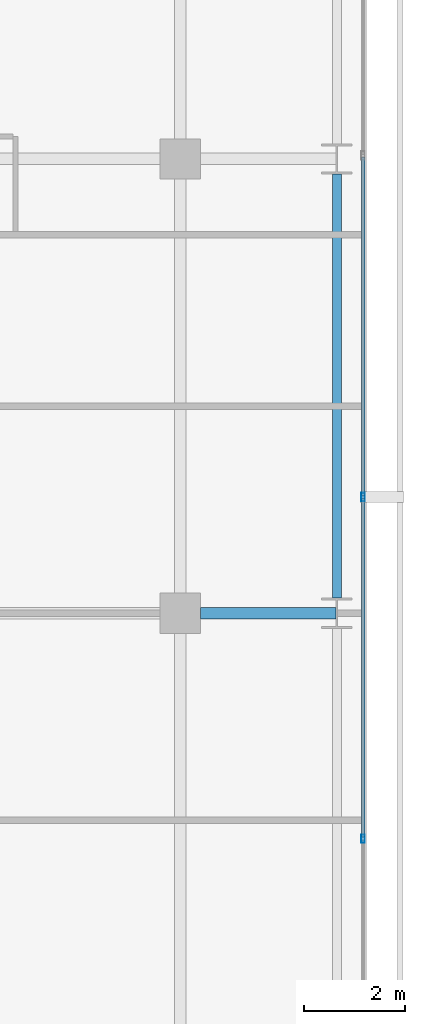
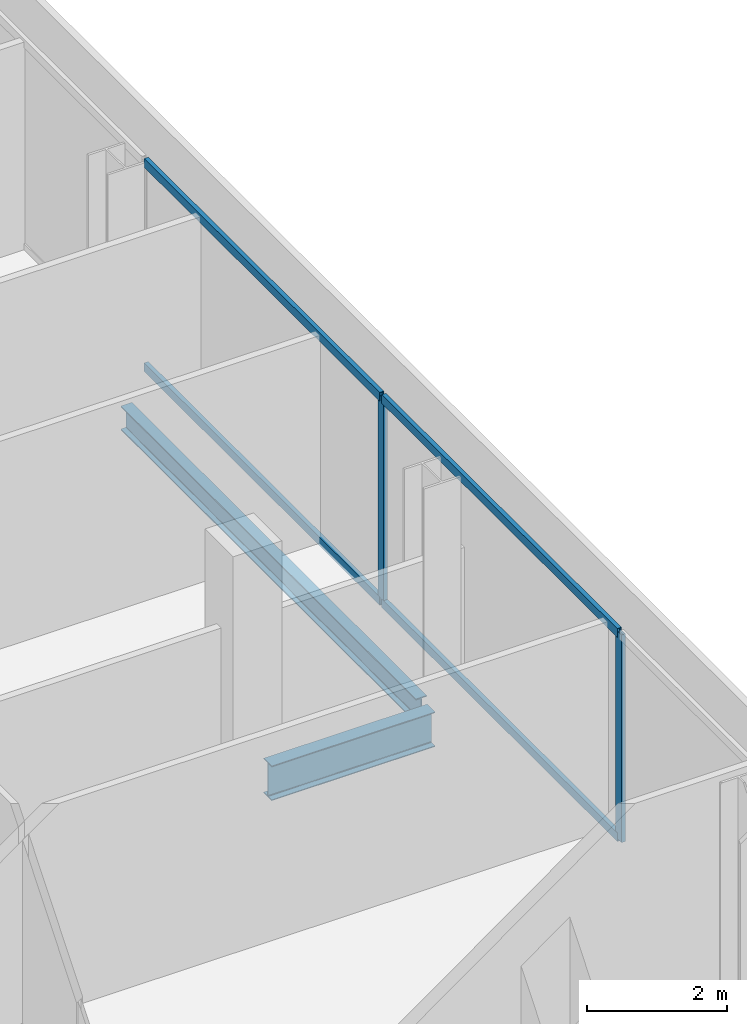
# One storey, part 17 of 34: 6 members, 2 beams, 1 element without a shape of its own.
"""IFC4 building model written with IfcOpenShell, lengths in metres."""

from ifc_helpers import new_model, si_unit, direction, frame, origin, origin_2d, place, context, subcontext, project, spatial, hollow_rectangle, i_section, extrude, material, layer, layer_set, material_profile, profile_set, type_object, element, aggregate, save


model = new_model("IFC4")

# Units and contexts
model_context = context("Model", 3, precision=1e-05, world=origin(), true_north=direction((0.0, 1.0)))
body_context = subcontext(model_context, "Body", "Model", "MODEL_VIEW")
ifc_project = project(units=[si_unit("LENGTHUNIT", "METRE"), si_unit("AREAUNIT", "SQUARE_METRE"), si_unit("VOLUMEUNIT", "CUBIC_METRE"), si_unit("PLANEANGLEUNIT", "RADIAN"), si_unit("MASSUNIT", "GRAM", prefix="KILO")], contexts=[model_context])

# Site, building, storey
site_placement = place(None, origin())
site = spatial("IfcSite", under=ifc_project, at=site_placement, CompositionType="ELEMENT")
building_placement = place(site_placement, origin())
building = spatial("IfcBuilding", under=site, at=building_placement, Name="Maruvema Waterfront Hotel and Observation Tower", CompositionType="ELEMENT")
storey_placement = place(building_placement, frame((0.0, 0.0, 173.60009765625)))
storey = spatial("IfcBuildingStorey", under=building, at=storey_placement, Name="L42", CompositionType="ELEMENT", Elevation=173.60009765625)

# Curtain wall, members
ifc_material_1 = material(Name="Anodised bronze aluminium and solar-control low-E IGU", Category="aluminium")
ifc_layer = layer(ifc_material_1, 0.159912109375, Name="Zone 2 Amber Inner Thermal Curtain Wall System CW-03")
ifc_layer_set = layer_set([ifc_layer], Name="Anodised bronze aluminium and solar-control low-E IGU")
curtain_wall_type = type_object("IfcCurtainWallType", Name="Zone 2 Amber Inner Thermal Curtain Wall System CW-03", PredefinedType="USERDEFINED", material=ifc_layer_set)
curtain_wall_placement = place(storey_placement, origin())
curtain_wall = element("IfcCurtainWall", 1, at=curtain_wall_placement, inside=storey, type_object=curtain_wall_type, Name="L42 Curtain Wall CW-L42-E", ObjectType="UNITISED CURTAIN WALL", PredefinedType="USERDEFINED")
ifc_material_2 = material(Name="Anodised architectural bronze aluminium", Category="aluminium")
ifc_material_profile_1 = material_profile(ifc_material_2, hollow_rectangle(XDim=0.070068359375, YDim=0.14990234375, WallThickness=0.00390625, at=origin_2d()), Name="ALU-T70x150")
ifc_profile_set_1 = profile_set([ifc_material_profile_1], Name="Anodised architectural bronze aluminium")
member_type_1 = type_object("IfcMemberType", Name="Curtain Wall Horizontal Transom ALU-T70x150", PredefinedType="USERDEFINED", material=ifc_profile_set_1)
member_1_placement = place(storey_placement, frame((62.419921875, 22.563232421875, 0.02978515625), z_axis=(0.0, 1.0, 0.0), x_axis=(-1.0, 0.0, 0.0)))
member_1 = element("IfcMember", 2, at=member_1_placement, type_object=member_type_1, Name="CW-03 transom 3.1", ObjectType="TRANSOM", PredefinedType="USERDEFINED", context=body_context, shape_type="SweptSolid", body=[
    extrude(hollow_rectangle(XDim=0.070068359375, YDim=0.14990234375, WallThickness=0.00390625, at=origin_2d()), origin(), (0.0, 0.0, 1.0), 6.706787109375),
])
member_2_placement = place(storey_placement, frame((62.419921875, 22.563232421875, 3.579833984375), z_axis=(0.0, 1.0, 0.0), x_axis=(-1.0, 0.0, 0.0)))
member_2 = element("IfcMember", 3, at=member_2_placement, type_object=member_type_1, Name="CW-03 transom 3.2", ObjectType="TRANSOM", PredefinedType="USERDEFINED", context=body_context, shape_type="SweptSolid", body=[
    extrude(hollow_rectangle(XDim=0.070068359375, YDim=0.14990234375, WallThickness=0.00390625, at=origin_2d()), origin(), (0.0, 0.0, 1.0), 6.706787109375),
])
member_3_placement = place(storey_placement, frame((62.419921875, 29.330078125, 0.02978515625), z_axis=(0.0, 1.0, 0.0), x_axis=(-1.0, 0.0, 0.0)))
member_3 = element("IfcMember", 4, at=member_3_placement, type_object=member_type_1, Name="CW-03 transom 4.1", ObjectType="TRANSOM", PredefinedType="USERDEFINED", context=body_context, shape_type="SweptSolid", body=[
    extrude(hollow_rectangle(XDim=0.070068359375, YDim=0.14990234375, WallThickness=0.00390625, at=origin_2d()), origin(), (0.0, 0.0, 1.0), 6.70654296875),
])
member_4_placement = place(storey_placement, frame((62.419921875, 29.330078125, 3.579833984375), z_axis=(0.0, 1.0, 0.0), x_axis=(-1.0, 0.0, 0.0)))
member_4 = element("IfcMember", 5, at=member_4_placement, type_object=member_type_1, Name="CW-03 transom 4.2", ObjectType="TRANSOM", PredefinedType="USERDEFINED", context=body_context, shape_type="SweptSolid", body=[
    extrude(hollow_rectangle(XDim=0.070068359375, YDim=0.14990234375, WallThickness=0.00390625, at=origin_2d()), origin(), (0.0, 0.0, 1.0), 6.70654296875),
])
ifc_material_3 = material(Name="Anodised architectural bronze aluminium", Category="aluminium")
ifc_material_profile_2 = material_profile(ifc_material_3, hollow_rectangle(XDim=0.06494140625, YDim=0.1650390625, WallThickness=0.00390625, at=origin_2d()), Name="ALU-M65x165")
ifc_profile_set_2 = profile_set([ifc_material_profile_2], Name="Anodised architectural bronze aluminium")
member_type_2 = type_object("IfcMemberType", Name="Curtain Wall Primary Mullion ALU-M65x165", PredefinedType="MULLION", material=ifc_profile_set_2)
member_5_placement = place(storey_placement, frame((62.419921875, 22.533447265625, 0.0), z_axis=(0.0, 0.0, 1.0), x_axis=(-1.0, 0.0, 0.0)))
member_5 = element("IfcMember", 6, at=member_5_placement, type_object=member_type_2, Name="CW-03 mullion 3", PredefinedType="MULLION", context=body_context, shape_type="SweptSolid", body=[
    extrude(hollow_rectangle(XDim=0.06494140625, YDim=0.1650390625, WallThickness=0.00390625, at=origin_2d()), origin(), (0.0, 0.0, 1.0), 3.60986328125),
])
member_6_placement = place(storey_placement, frame((62.419921875, 29.300048828125, 0.0), z_axis=(0.0, 0.0, 1.0), x_axis=(-1.0, 0.0, 0.0)))
member_6 = element("IfcMember", 7, at=member_6_placement, type_object=member_type_2, Name="CW-03 mullion 4", PredefinedType="MULLION", context=body_context, shape_type="SweptSolid", body=[
    extrude(hollow_rectangle(XDim=0.06494140625, YDim=0.1650390625, WallThickness=0.00390625, at=origin_2d()), origin(), (0.0, 0.0, 1.0), 3.60986328125),
])
aggregate(curtain_wall, [member_5, member_6, member_1, member_2, member_3, member_4])

# Beams
ifc_material_4 = material(Name="Steel ASTM A572 Grade 50", Category="steel")
ifc_material_profile_3 = material_profile(ifc_material_4, i_section(OverallWidth=0.180908203125, OverallDepth=0.4169921875, WebThickness=0.010986328125, FlangeThickness=0.018310546875, FilletRadius=0.014892578125, at=origin_2d()), Name="W410x85.0")
ifc_profile_set_3 = profile_set([ifc_material_profile_3], Name="Steel ASTM A572 Grade 50")
beam_type_1 = type_object("IfcBeamType", Name="Perimeter Spandrel Beam W410x85.0", PredefinedType="SPANDREL", material=ifc_profile_set_3)
beam_1_placement = place(storey_placement, frame((61.89990234375, 27.300048828125, -0.448486328125), z_axis=(0.0, 1.0, 0.0), x_axis=(-1.0, 0.0, 0.0)))
element("IfcBeam", 8, at=beam_1_placement, inside=storey, type_object=beam_type_1, Name="L42 Floor Girder NS-31", PredefinedType="SPANDREL", context=body_context, shape_type="SweptSolid", body=[
    extrude(i_section(OverallWidth=0.180908203125, OverallDepth=0.4169921875, WebThickness=0.010986328125, FlangeThickness=0.018310546875, FilletRadius=0.014892578125, at=origin_2d()), origin(), (0.0, 0.0, 1.0), 8.39990234375),
])
ifc_material_5 = material(Name="Steel ASTM A572 Grade 50", Category="steel")
ifc_material_profile_4 = material_profile(ifc_material_5, i_section(OverallWidth=0.22802734375, OverallDepth=0.60302734375, WebThickness=0.010498046875, FlangeThickness=0.014892578125, FilletRadius=0.01806640625, at=origin_2d()), Name="W610x101.0")
ifc_profile_set_4 = profile_set([ifc_material_profile_4], Name="Steel ASTM A572 Grade 50")
beam_type_2 = type_object("IfcBeamType", Name="Primary Floor Girder W610x101.0", PredefinedType="BEAM", material=ifc_profile_set_4)
beam_2_placement = place(storey_placement, frame((59.199951171875, 27.0, -0.54150390625), z_axis=(1.0, 0.0, 0.0), x_axis=(0.0, 1.0, 0.0)))
element("IfcBeam", 9, at=beam_2_placement, inside=storey, type_object=beam_type_2, Name="L42 Floor Girder EW-22", PredefinedType="BEAM", context=body_context, shape_type="SweptSolid", body=[
    extrude(i_section(OverallWidth=0.22802734375, OverallDepth=0.60302734375, WebThickness=0.010498046875, FlangeThickness=0.014892578125, FilletRadius=0.01806640625, at=origin_2d()), origin(), (0.0, 0.0, 1.0), 2.6875),
])

save(model, "model.ifc")
